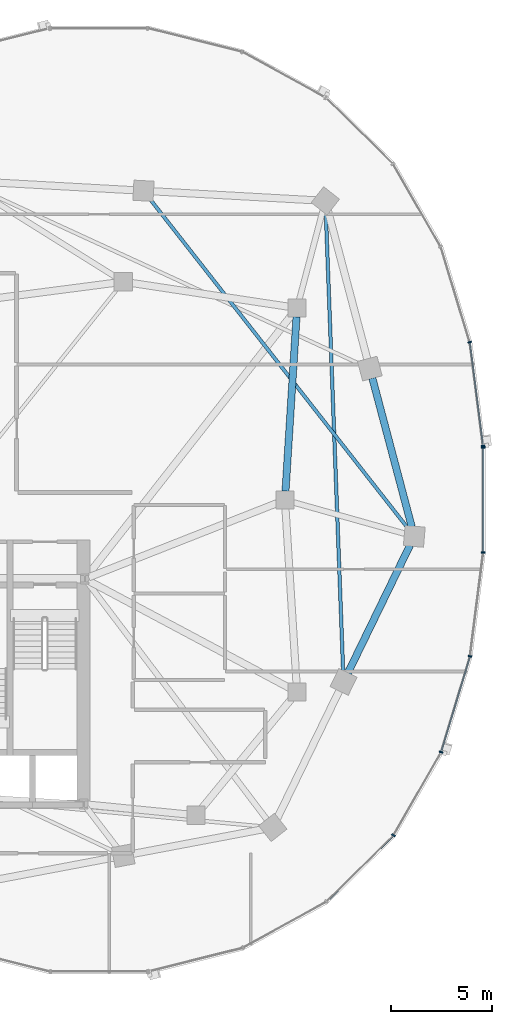
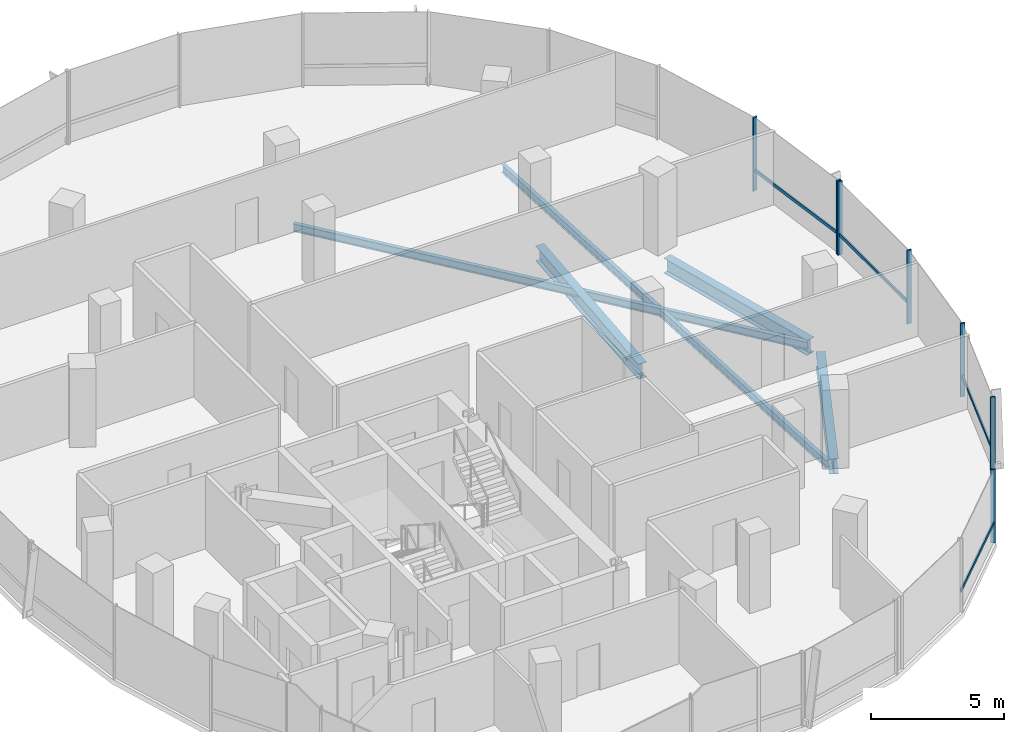
# One storey, part 8 of 23: 11 members, 5 beams, 2 elements without a shape of their own.
"""IFC4 building model written with IfcOpenShell, lengths in metres."""

from ifc_helpers import new_model, si_unit, direction, frame, origin, origin_2d, place, context, subcontext, project, spatial, rectangle, i_section, extrude, material, material_profile, profile_set, type_object, element, aggregate, save


model = new_model("IFC4")

# Units and contexts
model_context = context("Model", 3, precision=1e-05, world=origin(), true_north=direction((0.0, 1.0)))
body_context = subcontext(model_context, "Body", "Model", "MODEL_VIEW")
ifc_project = project(units=[si_unit("LENGTHUNIT", "METRE"), si_unit("AREAUNIT", "SQUARE_METRE"), si_unit("VOLUMEUNIT", "CUBIC_METRE"), si_unit("PLANEANGLEUNIT", "RADIAN"), si_unit("MASSUNIT", "GRAM", prefix="KILO"), si_unit("THERMODYNAMICTEMPERATUREUNIT", "KELVIN"), si_unit("POWERUNIT", "WATT")], contexts=[model_context])

# Site, building, storey
site_placement = place(None, origin())
site = spatial("IfcSite", under=ifc_project, at=site_placement, CompositionType="ELEMENT")
building_placement = place(site_placement, origin())
building = spatial("IfcBuilding", under=site, at=building_placement, Name="Cundina Bronze Exchange", CompositionType="ELEMENT")
storey_placement = place(building_placement, frame((0.0, 0.0, 176.39990234375)))
storey = spatial("IfcBuildingStorey", under=building, at=storey_placement, Name="L46", CompositionType="ELEMENT", Elevation=176.39990234375)

# Beams
ifc_material_1 = material(Name="Steel ASTM A992 Grade 50", Category="steel")
ifc_material_profile_1 = material_profile(ifc_material_1, i_section(OverallWidth=0.172119140625, OverallDepth=0.35791015625, WebThickness=0.0078125, FlangeThickness=0.01318359375, FilletRadius=0.010009765625, at=origin_2d()), Name="W14X38", Category="steel")
ifc_profile_set_1 = profile_set([ifc_material_profile_1], Name="Steel ASTM A992 Grade 50")
beam_type_1 = type_object("IfcBeamType", Name="BM-JST-W14", PredefinedType="JOIST", material=ifc_profile_set_1)
beam_1_placement = place(storey_placement, frame((44.08154296875, -8.51220703125, -0.4189453125), z_axis=(-0.037784933381, 0.999285894431, 0.0), x_axis=(-0.999285894431, -0.037784933381, 0.0)))
element("IfcBeam", 1, at=beam_1_placement, inside=storey, type_object=beam_type_1, Name="L46 Leg E Lobe Floor Joist 07-10", PredefinedType="JOIST", context=body_context, shape_type="SweptSolid", body=[
    extrude(i_section(OverallWidth=0.172119140625, OverallDepth=0.35791015625, WebThickness=0.0078125, FlangeThickness=0.01318359375, FilletRadius=0.010009765625, at=origin_2d()), origin(), (0.0, 0.0, 1.0), 22.8408203125),
])
beam_2_placement = place(storey_placement, frame((47.299072265625, -1.416015625, -0.4189453125), z_axis=(-0.616801484103, 0.787118751656, 0.0), x_axis=(-0.787118751656, -0.616801484103, 0.0)))
element("IfcBeam", 2, at=beam_2_placement, inside=storey, type_object=beam_type_1, Name="L46 Leg E Lobe Floor Joist 08-11", PredefinedType="JOIST", context=body_context, shape_type="SweptSolid", body=[
    extrude(i_section(OverallWidth=0.172119140625, OverallDepth=0.35791015625, WebThickness=0.0078125, FlangeThickness=0.01318359375, FilletRadius=0.010009765625, at=origin_2d()), origin(), (0.0, 0.0, 1.0), 20.7490234375),
])
ifc_material_profile_2 = material_profile(ifc_material_1, i_section(OverallWidth=0.35498046875, OverallDepth=0.695068359375, WebThickness=0.015380859375, FlangeThickness=0.02490234375, FilletRadius=0.01806640625, at=origin_2d()), Name="W27X146", Category="steel")
ifc_profile_set_2 = profile_set([ifc_material_profile_2], Name="Steel ASTM A992 Grade 50")
beam_type_2 = type_object("IfcBeamType", Name="BM-RING-W27", PredefinedType="USERDEFINED", material=ifc_profile_set_2)
beam_3_placement = place(storey_placement, frame((41.2275390625, 0.43701171875, -0.58740234375), z_axis=(0.063046519736, 0.998010589297, 0.0), x_axis=(-0.998010589297, 0.063046519736, 0.0)))
element("IfcBeam", 3, at=beam_3_placement, inside=storey, type_object=beam_type_2, Name="L46 E Inner Structural Ring Girder 04", ObjectType="GIRDER", PredefinedType="USERDEFINED", context=body_context, shape_type="SweptSolid", body=[
    extrude(i_section(OverallWidth=0.35498046875, OverallDepth=0.695068359375, WebThickness=0.015380859375, FlangeThickness=0.02490234375, FilletRadius=0.01806640625, at=origin_2d()), origin(), (0.0, 0.0, 1.0), 8.64306640625),
])
beam_4_placement = place(storey_placement, frame((44.3134765625, -8.56103515625, -0.58740234375), z_axis=(0.437196998825, 0.89936576776, 0.0), x_axis=(-0.89936576776, 0.437196998825, 0.0)))
element("IfcBeam", 4, at=beam_4_placement, inside=storey, type_object=beam_type_2, Name="L46 E Perimeter Ring Girder 07", ObjectType="GIRDER", PredefinedType="USERDEFINED", context=body_context, shape_type="SweptSolid", body=[
    extrude(i_section(OverallWidth=0.35498046875, OverallDepth=0.695068359375, WebThickness=0.015380859375, FlangeThickness=0.02490234375, FilletRadius=0.01806640625, at=origin_2d()), origin(), (0.0, 0.0, 1.0), 7.029541015625),
])
beam_5_placement = place(storey_placement, frame((47.47509765625, -1.328369140625, -0.58740234375), z_axis=(-0.256240814108, 0.966612975904, 0.0), x_axis=(-0.966612975904, -0.256240814108, 0.0)))
element("IfcBeam", 5, at=beam_5_placement, inside=storey, type_object=beam_type_2, Name="L46 E Perimeter Ring Girder 08", ObjectType="GIRDER", PredefinedType="USERDEFINED", context=body_context, shape_type="SweptSolid", body=[
    extrude(i_section(OverallWidth=0.35498046875, OverallDepth=0.695068359375, WebThickness=0.015380859375, FlangeThickness=0.02490234375, FilletRadius=0.01806640625, at=origin_2d()), origin(), (0.0, 0.0, 1.0), 7.61083984375),
])

# Curtain wall, members
ifc_material_2 = material(Name="Anodised Bronze Aluminium 6063-T6", Category="aluminium")
curtain_wall_type = type_object("IfcCurtainWallType", Name="CWS-WST-PIN", PredefinedType="NOTDEFINED", material=ifc_material_2)
curtain_wall_1_placement = place(storey_placement, origin())
curtain_wall_1 = element("IfcCurtainWall", 6, at=curtain_wall_1_placement, inside=storey, type_object=curtain_wall_type, Name="L46 CW-04 Curtain Wall Run CWR-L46-E1", PredefinedType="NOTDEFINED")
ifc_material_profile_3 = material_profile(ifc_material_2, rectangle(XDim=0.070068359375, YDim=0.18994140625, at=origin_2d()), Name="AL70X190", Category="aluminium")
ifc_profile_set_3 = profile_set([ifc_material_profile_3], Name="Anodised Bronze Aluminium 6063-T6")
member_type_1 = type_object("IfcMemberType", Name="CWM-MUL-190", PredefinedType="MULLION", material=ifc_profile_set_3)
member_1_placement = place(storey_placement, frame((51.001708984375, 2.676025390625, 0.0), z_axis=(0.0, 0.0, 1.0), x_axis=(-0.126545236492, 0.991960837494, 0.0)))
member_1 = element("IfcMember", 7, at=member_1_placement, type_object=member_type_1, Name="CW-04 Mullion 1", PredefinedType="MULLION", context=body_context, shape_type="SweptSolid", body=[
    extrude(rectangle(XDim=0.070068359375, YDim=0.18994140625, at=origin_2d()), origin(), (0.0, 0.0, 1.0), 3.360107421875),
])
member_2_placement = place(storey_placement, frame((50.3408203125, 7.80859375, 0.0), z_axis=(0.0, 0.0, 1.0), x_axis=(-0.290034140915, 0.957016299288, 0.0)))
member_2 = element("IfcMember", 8, at=member_2_placement, type_object=member_type_1, Name="CW-04 Mullion 2", PredefinedType="MULLION", context=body_context, shape_type="SweptSolid", body=[
    extrude(rectangle(XDim=0.070068359375, YDim=0.18994140625, at=origin_2d()), origin(), (0.0, 0.0, 1.0), 3.360107421875),
])

curtain_wall_2_placement = place(storey_placement, origin())
curtain_wall_2 = element("IfcCurtainWall", 9, at=curtain_wall_2_placement, inside=storey, type_object=curtain_wall_type, Name="L46 CW-04 Curtain Wall Run CWR-L46-E4", PredefinedType="NOTDEFINED")
member_3_placement = place(storey_placement, frame((46.57080078125, -16.588134765625, 0.0), z_axis=(0.0, 0.0, 1.0), x_axis=(0.498487739754, 0.866896748936, 0.0)))
member_3 = element("IfcMember", 10, at=member_3_placement, type_object=member_type_1, Name="CW-04 Mullion 4", PredefinedType="MULLION", context=body_context, shape_type="SweptSolid", body=[
    extrude(rectangle(XDim=0.070068359375, YDim=0.18994140625, at=origin_2d()), origin(), (0.0, 0.0, 1.0), 3.360107421875),
])
member_4_placement = place(storey_placement, frame((48.92626953125, -12.4755859375, 0.0), z_axis=(0.0, 0.0, 1.0), x_axis=(0.290034140915, 0.957016299288, 0.0)))
member_4 = element("IfcMember", 11, at=member_4_placement, type_object=member_type_1, Name="CW-04 Mullion 5", PredefinedType="MULLION", context=body_context, shape_type="SweptSolid", body=[
    extrude(rectangle(XDim=0.070068359375, YDim=0.18994140625, at=origin_2d()), origin(), (0.0, 0.0, 1.0), 3.360107421875),
])
member_5_placement = place(storey_placement, frame((50.357177734375, -7.731689453125, 0.0), z_axis=(0.0, 0.0, 1.0), x_axis=(0.126545236492, 0.991960837494, 0.0)))
member_5 = element("IfcMember", 12, at=member_5_placement, type_object=member_type_1, Name="CW-04 Mullion 6", PredefinedType="MULLION", context=body_context, shape_type="SweptSolid", body=[
    extrude(rectangle(XDim=0.070068359375, YDim=0.18994140625, at=origin_2d()), origin(), (0.0, 0.0, 1.0), 3.360107421875),
])
member_6_placement = place(storey_placement, frame((51.007080078125, -2.593017578125, 0.0), z_axis=(0.0, 0.0, 1.0), x_axis=(0.0, 1.0, 0.0)))
member_6 = element("IfcMember", 13, at=member_6_placement, type_object=member_type_1, Name="CW-04 Mullion 7", PredefinedType="MULLION", context=body_context, shape_type="SweptSolid", body=[
    extrude(rectangle(XDim=0.070068359375, YDim=0.18994140625, at=origin_2d()), origin(), (0.0, 0.0, 1.0), 3.360107421875),
])
member_7_placement = place(storey_placement, frame((51.007080078125, 2.593017578125, 0.0), z_axis=(0.0, 0.0, 1.0), x_axis=(0.0, 1.0, 0.0)))
member_7 = element("IfcMember", 14, at=member_7_placement, type_object=member_type_1, Name="CW-04 End Mullion", PredefinedType="MULLION", context=body_context, shape_type="SweptSolid", body=[
    extrude(rectangle(XDim=0.070068359375, YDim=0.18994140625, at=origin_2d()), origin(), (0.0, 0.0, 1.0), 3.360107421875),
])

# Member
ifc_material_profile_4 = material_profile(ifc_material_2, rectangle(XDim=0.06494140625, YDim=0.14990234375, at=origin_2d()), Name="AL65X150", Category="aluminium")
ifc_profile_set_4 = profile_set([ifc_material_profile_4], Name="Anodised Bronze Aluminium 6063-T6")
member_type_2 = type_object("IfcMemberType", Name="CWM-TRN-150", PredefinedType="USERDEFINED", material=ifc_profile_set_4)
member_8_placement = place(storey_placement, frame((50.996826171875, 2.71435546875, 0.920166015625), z_axis=(-0.12646340362, 0.991971273548, 0.0), x_axis=(-0.991971273548, -0.12646340362, 0.0)))
member_8 = element("IfcMember", 15, at=member_8_placement, type_object=member_type_2, Name="CW-04 Spandrel Transom 1", ObjectType="TRANSOM", PredefinedType="USERDEFINED", context=body_context, shape_type="SweptSolid", body=[
    extrude(rectangle(XDim=0.06494140625, YDim=0.14990234375, at=origin_2d()), origin(), (0.0, 0.0, 1.0), 5.0966796875),
])

aggregate(curtain_wall_1, [member_1, member_8, member_2])

member_9_placement = place(storey_placement, frame((43.28662109375, -19.839599609375, 0.920166015625), z_axis=(0.712005023839, 0.702174370102, 0.0), x_axis=(-0.702174370102, 0.712005023839, 0.0)))
member_9 = element("IfcMember", 16, at=member_9_placement, type_object=member_type_2, Name="CW-04 Spandrel Transom 3", ObjectType="TRANSOM", PredefinedType="USERDEFINED", context=body_context, shape_type="SweptSolid", body=[
    extrude(rectangle(XDim=0.06494140625, YDim=0.14990234375, at=origin_2d()), origin(), (0.0, 0.0, 1.0), 4.594482421875),
])

member_10_placement = place(storey_placement, frame((48.937255859375, -12.43896484375, 0.920166015625), z_axis=(0.290051855969, 0.957010930371, 0.0), x_axis=(-0.957010930371, 0.290051855969, 0.0)))
member_10 = element("IfcMember", 17, at=member_10_placement, type_object=member_type_2, Name="CW-04 Spandrel Transom 5", ObjectType="TRANSOM", PredefinedType="USERDEFINED", context=body_context, shape_type="SweptSolid", body=[
    extrude(rectangle(XDim=0.06494140625, YDim=0.14990234375, at=origin_2d()), origin(), (0.0, 0.0, 1.0), 4.876953125),
])

member_11_placement = place(storey_placement, frame((51.007080078125, -2.554443359375, 0.920166015625), z_axis=(0.0, 1.0, 0.0), x_axis=(-1.0, 0.0, 0.0)))
member_11 = element("IfcMember", 18, at=member_11_placement, type_object=member_type_2, Name="CW-04 Spandrel Transom 7", ObjectType="TRANSOM", PredefinedType="USERDEFINED", context=body_context, shape_type="SweptSolid", body=[
    extrude(rectangle(XDim=0.06494140625, YDim=0.14990234375, at=origin_2d()), origin(), (0.0, 0.0, 1.0), 5.10888671875),
])

aggregate(curtain_wall_2, [member_9, member_3, member_4, member_10, member_5, member_6, member_7, member_11])

save(model, "model.ifc")
